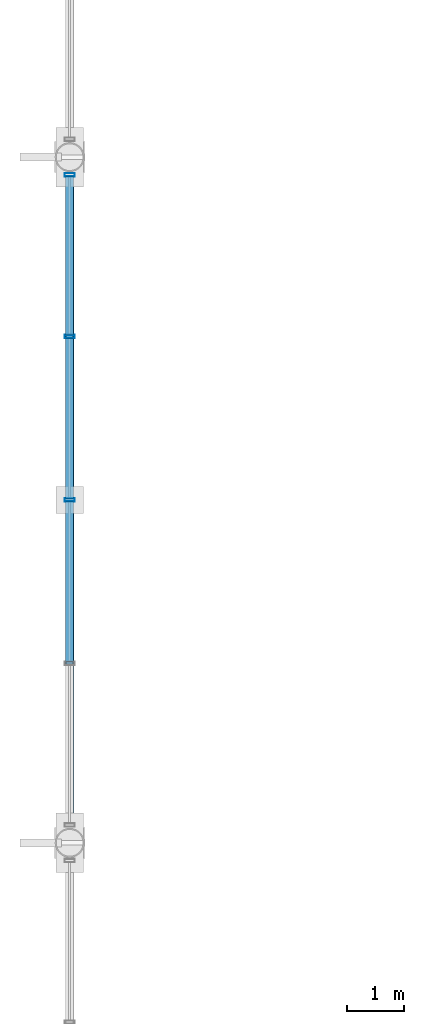
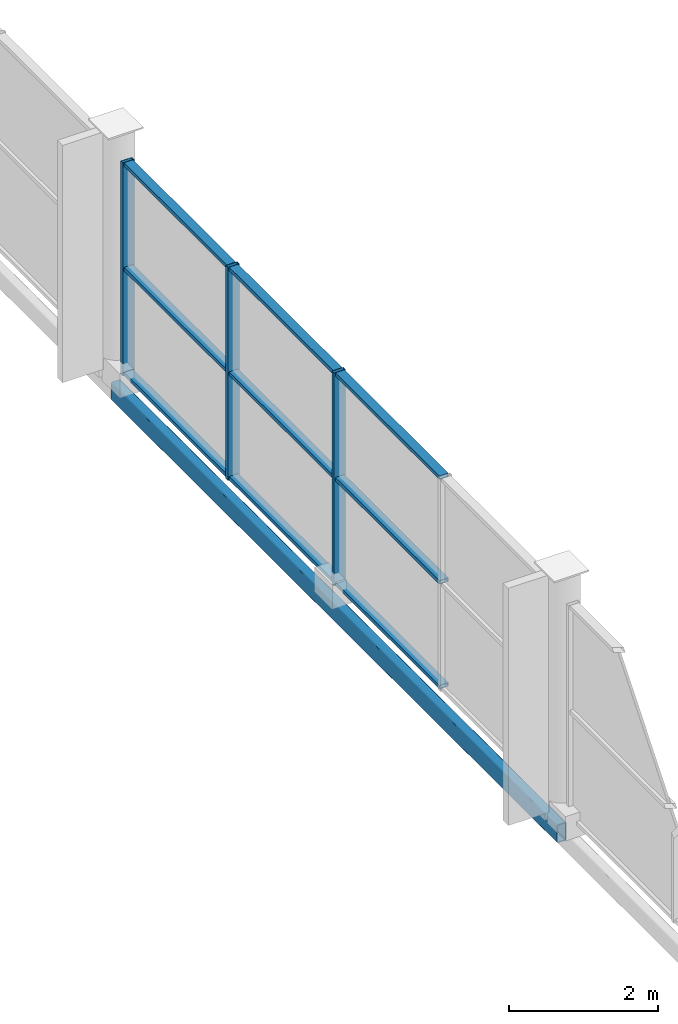
# One storey, part 35 of 117: 12 members, 1 beam, 1 element without a shape of its own.
"""IFC4 building model written with IfcOpenShell, lengths in metres."""

from ifc_helpers import new_model, si_unit, direction, frame, origin, origin_2d, place, context, subcontext, project, spatial, hollow_rectangle, extrude, material, material_profile, profile_set, type_object, element, aggregate, save


model = new_model("IFC4")

# Units and contexts
model_context = context("Model", 3, precision=1e-05, world=origin(), true_north=direction((0.0, 1.0)))
body_context = subcontext(model_context, "Body", "Model", "MODEL_VIEW")
ifc_project = project(units=[si_unit("LENGTHUNIT", "METRE"), si_unit("AREAUNIT", "SQUARE_METRE"), si_unit("VOLUMEUNIT", "CUBIC_METRE"), si_unit("PLANEANGLEUNIT", "RADIAN"), si_unit("MASSUNIT", "GRAM", prefix="KILO")], contexts=[model_context])

# Site, building, storey
site_placement = place(None, origin())
site = spatial("IfcSite", under=ifc_project, at=site_placement, CompositionType="ELEMENT")
building_placement = place(site_placement, origin())
building = spatial("IfcBuilding", under=site, at=building_placement, Name="Merenkruunu Market Hall", CompositionType="ELEMENT")
storey_placement = place(building_placement, frame((0.0, 0.0, 10.199951171875)))
storey = spatial("IfcBuildingStorey", under=building, at=storey_placement, Name="L02", CompositionType="ELEMENT", Elevation=10.199951171875)

# Curtain wall, members
ifc_material_1 = material(Name="Powder-coated aluminium", Category="aluminium")
curtain_wall_type = type_object("IfcCurtainWallType", Name="Glazed Curtain Wall CW13", PredefinedType="USERDEFINED", material=ifc_material_1)
curtain_wall_placement = place(storey_placement, origin())
curtain_wall = element("IfcCurtainWall", 1, at=curtain_wall_placement, inside=storey, type_object=curtain_wall_type, Name="CW-L02-CWM02-012", ObjectType="GLAZED_FACADE", PredefinedType="USERDEFINED")
ifc_material_profile_1 = material_profile(ifc_material_1, hollow_rectangle(XDim=0.06005859375, YDim=0.179931640625, WallThickness=0.00390625, at=origin_2d()), Name="ALU 60x180x4")
ifc_profile_set_1 = profile_set([ifc_material_profile_1], Name="Powder-coated aluminium")
member_type_1 = type_object("IfcMemberType", Name="Curtain Wall Mullion CWM02", PredefinedType="MULLION", material=ifc_profile_set_1)
member_1_placement = place(storey_placement, frame((0.0, 57.60009765625, 0.0), z_axis=(0.0, 0.0, 1.0), x_axis=(0.0, 1.0, 0.0)))
member_1 = element("IfcMember", 2, at=member_1_placement, type_object=member_type_1, Name="CW13 mullion 3", PredefinedType="MULLION", context=body_context, shape_type="SweptSolid", body=[
    extrude(hollow_rectangle(XDim=0.06005859375, YDim=0.179931640625, WallThickness=0.00390625, at=origin_2d()), origin(), (0.0, 0.0, 1.0), 3.5),
])
member_2_placement = place(storey_placement, frame((0.0, 60.4599609375, 0.0), z_axis=(0.0, 0.0, 1.0), x_axis=(0.0, 1.0, 0.0)))
member_2 = element("IfcMember", 3, at=member_2_placement, type_object=member_type_1, Name="CW13 mullion 4", PredefinedType="MULLION", context=body_context, shape_type="SweptSolid", body=[
    extrude(hollow_rectangle(XDim=0.06005859375, YDim=0.179931640625, WallThickness=0.00390625, at=origin_2d()), origin(), (0.0, 0.0, 1.0), 3.5),
])
member_3_placement = place(storey_placement, frame((0.0, 63.2900390625, 0.0), z_axis=(0.0, 0.0, 1.0), x_axis=(0.0, 1.0, 0.0)))
member_3 = element("IfcMember", 4, at=member_3_placement, type_object=member_type_1, Name="CW13 mullion 5", PredefinedType="MULLION", context=body_context, shape_type="SweptSolid", body=[
    extrude(hollow_rectangle(XDim=0.06005859375, YDim=0.179931640625, WallThickness=0.00390625, at=origin_2d()), origin(), (0.0, 0.0, 1.0), 3.5),
])
ifc_material_profile_2 = material_profile(ifc_material_1, hollow_rectangle(XDim=0.06005859375, YDim=0.139892578125, WallThickness=0.00390625, at=origin_2d()), Name="ALU 60x140x4")
ifc_profile_set_2 = profile_set([ifc_material_profile_2], Name="Powder-coated aluminium")
member_type_2 = type_object("IfcMemberType", Name="Curtain Wall Transom CWT02", PredefinedType="USERDEFINED", material=ifc_profile_set_2)
member_4_placement = place(storey_placement, frame((0.0, 54.77001953125, 0.030029296875), z_axis=(0.0, 1.0, 0.0), x_axis=(0.0, 0.0, 1.0)))
member_4 = element("IfcMember", 5, at=member_4_placement, type_object=member_type_2, Name="CW13 transom 2.1", ObjectType="TRANSOM", PredefinedType="USERDEFINED", context=body_context, shape_type="SweptSolid", body=[
    extrude(hollow_rectangle(XDim=0.06005859375, YDim=0.139892578125, WallThickness=0.00390625, at=origin_2d()), origin(), (0.0, 0.0, 1.0), 2.800048828125),
])
member_5_placement = place(storey_placement, frame((0.0, 54.77001953125, 1.75), z_axis=(0.0, 1.0, 0.0), x_axis=(0.0, 0.0, 1.0)))
member_5 = element("IfcMember", 6, at=member_5_placement, type_object=member_type_2, Name="CW13 transom 2.2", ObjectType="TRANSOM", PredefinedType="USERDEFINED", context=body_context, shape_type="SweptSolid", body=[
    extrude(hollow_rectangle(XDim=0.06005859375, YDim=0.139892578125, WallThickness=0.00390625, at=origin_2d()), origin(), (0.0, 0.0, 1.0), 2.800048828125),
])
member_6_placement = place(storey_placement, frame((0.0, 54.77001953125, 3.469970703125), z_axis=(0.0, 1.0, 0.0), x_axis=(0.0, 0.0, 1.0)))
member_6 = element("IfcMember", 7, at=member_6_placement, type_object=member_type_2, Name="CW13 transom 2.3", ObjectType="TRANSOM", PredefinedType="USERDEFINED", context=body_context, shape_type="SweptSolid", body=[
    extrude(hollow_rectangle(XDim=0.06005859375, YDim=0.139892578125, WallThickness=0.00390625, at=origin_2d()), origin(), (0.0, 0.0, 1.0), 2.800048828125),
])
member_7_placement = place(storey_placement, frame((0.0, 57.6298828125, 0.030029296875), z_axis=(0.0, 1.0, 0.0), x_axis=(0.0, 0.0, 1.0)))
member_7 = element("IfcMember", 8, at=member_7_placement, type_object=member_type_2, Name="CW13 transom 3.1", ObjectType="TRANSOM", PredefinedType="USERDEFINED", context=body_context, shape_type="SweptSolid", body=[
    extrude(hollow_rectangle(XDim=0.06005859375, YDim=0.139892578125, WallThickness=0.00390625, at=origin_2d()), origin(), (0.0, 0.0, 1.0), 2.800048828125),
])
member_8_placement = place(storey_placement, frame((0.0, 57.6298828125, 1.75), z_axis=(0.0, 1.0, 0.0), x_axis=(0.0, 0.0, 1.0)))
member_8 = element("IfcMember", 9, at=member_8_placement, type_object=member_type_2, Name="CW13 transom 3.2", ObjectType="TRANSOM", PredefinedType="USERDEFINED", context=body_context, shape_type="SweptSolid", body=[
    extrude(hollow_rectangle(XDim=0.06005859375, YDim=0.139892578125, WallThickness=0.00390625, at=origin_2d()), origin(), (0.0, 0.0, 1.0), 2.800048828125),
])
member_9_placement = place(storey_placement, frame((0.0, 57.6298828125, 3.469970703125), z_axis=(0.0, 1.0, 0.0), x_axis=(0.0, 0.0, 1.0)))
member_9 = element("IfcMember", 10, at=member_9_placement, type_object=member_type_2, Name="CW13 transom 3.3", ObjectType="TRANSOM", PredefinedType="USERDEFINED", context=body_context, shape_type="SweptSolid", body=[
    extrude(hollow_rectangle(XDim=0.06005859375, YDim=0.139892578125, WallThickness=0.00390625, at=origin_2d()), origin(), (0.0, 0.0, 1.0), 2.800048828125),
])
member_10_placement = place(storey_placement, frame((0.0, 60.489990234375, 0.030029296875), z_axis=(0.0, 1.0, 0.0), x_axis=(0.0, 0.0, 1.0)))
member_10 = element("IfcMember", 11, at=member_10_placement, type_object=member_type_2, Name="CW13 transom 4.1", ObjectType="TRANSOM", PredefinedType="USERDEFINED", context=body_context, shape_type="SweptSolid", body=[
    extrude(hollow_rectangle(XDim=0.06005859375, YDim=0.139892578125, WallThickness=0.00390625, at=origin_2d()), origin(), (0.0, 0.0, 1.0), 2.77001953125),
])
member_11_placement = place(storey_placement, frame((0.0, 60.489990234375, 1.75), z_axis=(0.0, 1.0, 0.0), x_axis=(0.0, 0.0, 1.0)))
member_11 = element("IfcMember", 12, at=member_11_placement, type_object=member_type_2, Name="CW13 transom 4.2", ObjectType="TRANSOM", PredefinedType="USERDEFINED", context=body_context, shape_type="SweptSolid", body=[
    extrude(hollow_rectangle(XDim=0.06005859375, YDim=0.139892578125, WallThickness=0.00390625, at=origin_2d()), origin(), (0.0, 0.0, 1.0), 2.77001953125),
])
member_12_placement = place(storey_placement, frame((0.0, 60.489990234375, 3.469970703125), z_axis=(0.0, 1.0, 0.0), x_axis=(0.0, 0.0, 1.0)))
member_12 = element("IfcMember", 13, at=member_12_placement, type_object=member_type_2, Name="CW13 transom 4.3", ObjectType="TRANSOM", PredefinedType="USERDEFINED", context=body_context, shape_type="SweptSolid", body=[
    extrude(hollow_rectangle(XDim=0.06005859375, YDim=0.139892578125, WallThickness=0.00390625, at=origin_2d()), origin(), (0.0, 0.0, 1.0), 2.77001953125),
])
aggregate(curtain_wall, [member_1, member_2, member_3, member_4, member_5, member_6, member_7, member_8, member_9, member_10, member_11, member_12])

# Beam
ifc_material_2 = material(Name="Steel S355J2", Category="steel")
ifc_material_profile_3 = material_profile(ifc_material_2, hollow_rectangle(XDim=0.14990234375, YDim=0.300048828125, WallThickness=0.012451171875, InnerFilletRadius=0.012451171875, OuterFilletRadius=0.02490234375, at=origin_2d()), Name="RHS 300x150x12.5")
ifc_profile_set_3 = profile_set([ifc_material_profile_3], Name="Steel S355J2")
beam_type = type_object("IfcBeamType", Name="Perimeter Spandrel Beam SP03", PredefinedType="SPANDREL", material=ifc_profile_set_3)
beam_placement = place(storey_placement, frame((0.0, 51.60009765625, -0.4599609375), z_axis=(0.0, 1.0, 0.0), x_axis=(-1.0, 0.0, 0.0)))
element("IfcBeam", 14, at=beam_placement, inside=storey, type_object=beam_type, Name="BM-L02-SP03-1224", PredefinedType="SPANDREL", context=body_context, shape_type="SweptSolid", body=[
    extrude(hollow_rectangle(XDim=0.14990234375, YDim=0.300048828125, WallThickness=0.012451171875, InnerFilletRadius=0.012451171875, OuterFilletRadius=0.02490234375, at=origin_2d()), origin(), (0.0, 0.0, 1.0), 12.0),
])

save(model, "model.ifc")
